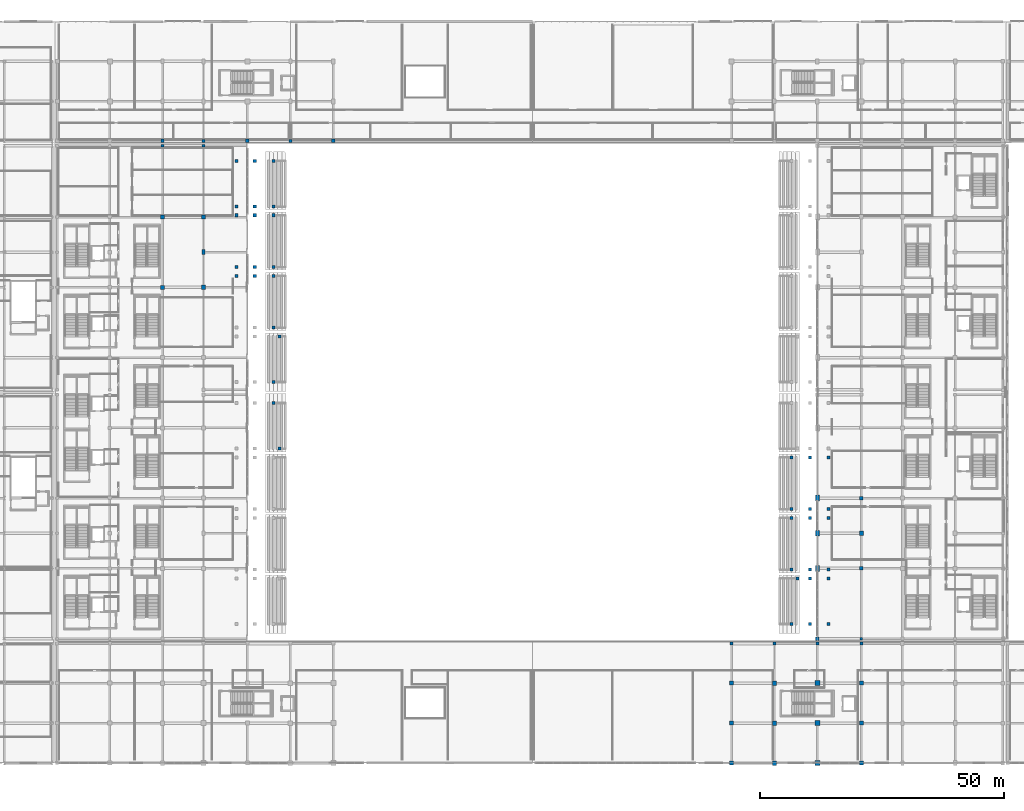
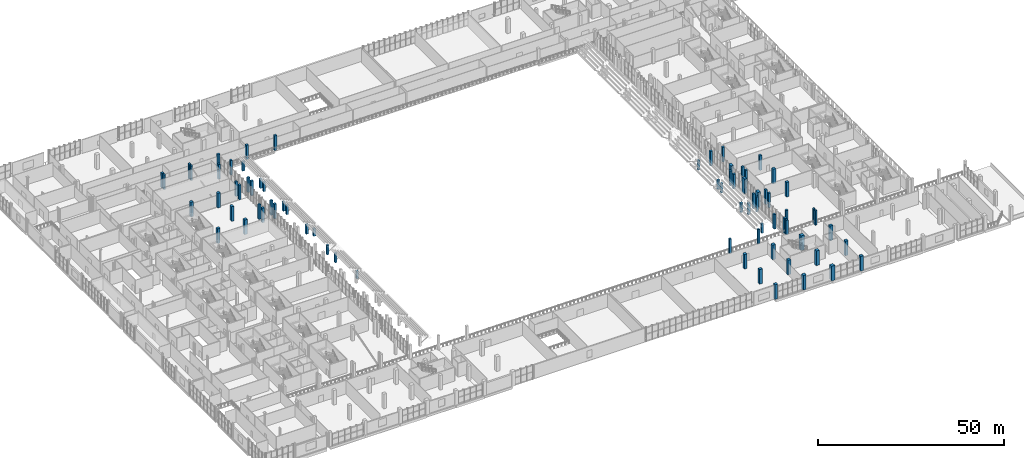
# One storey, part 8 of 142: 74 columns.
"""IFC4 building model written with IfcOpenShell, lengths in metres."""

from ifc_helpers import new_model, si_unit, direction, frame, origin, origin_2d, place, context, subcontext, project, spatial, rectangle, extrude, material, material_profile, profile_set, type_object, element, save


model = new_model("IFC4")

# Units and contexts
model_context = context("Model", 3, precision=1e-05, world=origin(), true_north=direction((0.0, 1.0)))
body_context = subcontext(model_context, "Body", "Model", "MODEL_VIEW")
ifc_project = project(units=[si_unit("LENGTHUNIT", "METRE"), si_unit("AREAUNIT", "SQUARE_METRE"), si_unit("VOLUMEUNIT", "CUBIC_METRE"), si_unit("PLANEANGLEUNIT", "RADIAN"), si_unit("MASSUNIT", "GRAM", prefix="KILO")], contexts=[model_context])

# Site, building, storey
site_placement = place(None, origin())
site = spatial("IfcSite", under=ifc_project, at=site_placement, CompositionType="ELEMENT")
building_placement = place(site_placement, origin())
building = spatial("IfcBuilding", under=site, at=building_placement, Name="Koshinbarg Plaza Stadium", CompositionType="ELEMENT")
storey_placement = place(building_placement, frame((0.0, 0.0, 10.199951171875)))
storey = spatial("IfcBuildingStorey", under=building, at=storey_placement, Name="L02", CompositionType="ELEMENT", Elevation=10.199951171875)

# Columns
ifc_material = material(Name="Concrete C40/50", Category="concrete")
ifc_material_profile_1 = material_profile(ifc_material, rectangle(XDim=0.550048828125, YDim=0.550048828125, at=origin_2d()), Name="RC 550x550")
ifc_profile_set_1 = profile_set([ifc_material_profile_1], Name="Concrete C40/50")
column_type_1 = type_object("IfcColumnType", Name="COL-RC-03", PredefinedType="COLUMN", material=ifc_profile_set_1)
for number, where, z_axis, x_axis, name in (
    (1, (189.39990234375, 25.5, 0.0), (0.0, 0.0, 1.0), (1.0, 0.0, 0.0), "L02 column 18/E"),
    (2, (54.60009765625, 126.5, 0.0), (0.0, 0.0, 1.0), (1.0, 0.0, 0.0), "L02 column 8/R"),
):
    element("IfcColumn", number, at=place(storey_placement, frame(where, z_axis=z_axis, x_axis=x_axis)), inside=storey, type_object=column_type_1, Name=name, PredefinedType="COLUMN", context=body_context, shape_type="SweptSolid", body=[
        extrude(rectangle(XDim=0.550048828125, YDim=0.550048828125, at=origin_2d()), origin(), (0.0, 0.0, 1.0), 4.800048828125),
    ])
ifc_material_profile_2 = material_profile(ifc_material, rectangle(XDim=0.60009765625, YDim=0.60009765625, at=origin_2d()), Name="RC 600x600")
ifc_profile_set_2 = profile_set([ifc_material_profile_2], Name="Concrete C40/50")
column_type_2 = type_object("IfcColumnType", Name="COL-RC-04", PredefinedType="COLUMN", material=ifc_profile_set_2)
for number, where, z_axis, x_axis, name in (
    (3, (171.60009765625, 24.5, 0.0), (0.0, 0.0, 1.0), (1.0, 0.0, 0.0), "L02 column 16/D"),
    (4, (189.39990234375, 24.5, 0.0), (0.0, 0.0, 1.0), (1.0, 0.0, 0.0), "L02 column 18/D"),
    (5, (46.199951171875, 126.5, 0.0), (0.0, 0.0, 1.0), (1.0, 0.0, 0.0), "L02 column 7/R"),
):
    element("IfcColumn", number, at=place(storey_placement, frame(where, z_axis=z_axis, x_axis=x_axis)), inside=storey, type_object=column_type_2, Name=name, PredefinedType="COLUMN", context=body_context, shape_type="SweptSolid", body=[
        extrude(rectangle(XDim=0.60009765625, YDim=0.60009765625, at=origin_2d()), origin(), (0.0, 0.0, 1.0), 4.800048828125),
    ])
ifc_material_profile_3 = material_profile(ifc_material, rectangle(XDim=0.64990234375, YDim=0.64990234375, at=origin_2d()), Name="RC 650x650")
ifc_profile_set_3 = profile_set([ifc_material_profile_3], Name="Concrete C40/50")
column_type_3 = type_object("IfcColumnType", Name="COL-RC-05", PredefinedType="COLUMN", material=ifc_profile_set_3)
for number, where, z_axis, x_axis, name in (
    (6, (72.39990234375, 127.5, 0.0), (0.0, 0.0, 1.0), (1.0, 0.0, 0.0), "L02 column 10/S"),
    (7, (162.800048828125, 24.5, 0.0), (0.0, 0.0, 1.0), (1.0, 0.0, 0.0), "L02 column 15/D"),
    (8, (180.39990234375, 24.5, 0.0), (0.0, 0.0, 1.0), (1.0, 0.0, 0.0), "L02 column 17/D"),
    (9, (54.60009765625, 127.5, 0.0), (0.0, 0.0, 1.0), (1.0, 0.0, 0.0), "L02 column 8/S"),
):
    element("IfcColumn", number, at=place(storey_placement, frame(where, z_axis=z_axis, x_axis=x_axis)), inside=storey, type_object=column_type_3, Name=name, PredefinedType="COLUMN", context=body_context, shape_type="SweptSolid", body=[
        extrude(rectangle(XDim=0.64990234375, YDim=0.64990234375, at=origin_2d()), origin(), (0.0, 0.0, 1.0), 4.800048828125),
    ])
column_1_placement = place(storey_placement, frame((70.169921875, 64.449951171875, 0.0), z_axis=(0.0, 0.0, 1.0), x_axis=(1.0, 0.0, 0.0)))
element("IfcColumn", 10, at=column_1_placement, inside=storey, type_object=column_type_3, Name="L02 bowl raker column UT-W04-L-CF", PredefinedType="COLUMN", context=body_context, shape_type="SweptSolid", body=[
    extrude(rectangle(XDim=0.64990234375, YDim=0.64990234375, at=origin_2d()), origin(), (0.0, 0.0, 1.0), 2.438720703125),
])
for number, where, z_axis, x_axis, name in (
    (11, (68.919921875, 73.800048828125, 0.0), (0.0, 0.0, 1.0), (1.0, 0.0, 0.0), "L02 bowl raker column UT-W04-R-CF"),
    (12, (68.919921875, 78.10009765625, 0.0), (0.0, 0.0, 1.0), (1.0, 0.0, 0.0), "L02 bowl raker column UT-W05-L-CF"),
):
    element("IfcColumn", number, at=place(storey_placement, frame(where, z_axis=z_axis, x_axis=x_axis)), inside=storey, type_object=column_type_3, Name=name, PredefinedType="COLUMN", context=body_context, shape_type="SweptSolid", body=[
        extrude(rectangle(XDim=0.64990234375, YDim=0.64990234375, at=origin_2d()), origin(), (0.0, 0.0, 1.0), 3.082763671875),
    ])
column_2_placement = place(storey_placement, frame((70.169921875, 87.449951171875, 0.0), z_axis=(0.0, 0.0, 1.0), x_axis=(1.0, 0.0, 0.0)))
element("IfcColumn", 13, at=column_2_placement, inside=storey, type_object=column_type_3, Name="L02 bowl raker column UT-W05-R-CF", PredefinedType="COLUMN", context=body_context, shape_type="SweptSolid", body=[
    extrude(rectangle(XDim=0.64990234375, YDim=0.64990234375, at=origin_2d()), origin(), (0.0, 0.0, 1.0), 2.438720703125),
])
for number, where, z_axis, x_axis, name in (
    (14, (68.919921875, 89.25, 0.0), (0.0, 0.0, 1.0), (1.0, 0.0, 0.0), "L02 bowl raker column UT-W06-L-CF"),
    (15, (68.919921875, 99.85009765625, 0.0), (0.0, 0.0, 1.0), (1.0, 0.0, 0.0), "L02 bowl raker column UT-W06-R-CF"),
):
    element("IfcColumn", number, at=place(storey_placement, frame(where, z_axis=z_axis, x_axis=x_axis)), inside=storey, type_object=column_type_3, Name=name, PredefinedType="COLUMN", context=body_context, shape_type="SweptSolid", body=[
        extrude(rectangle(XDim=0.64990234375, YDim=0.64990234375, at=origin_2d()), origin(), (0.0, 0.0, 1.0), 3.082763671875),
    ])
for number, where, z_axis, x_axis, name in (
    (16, (65.10009765625, 99.85009765625, 0.0), (0.0, 0.0, 1.0), (1.0, 0.0, 0.0), "L02 bowl raker column UT-W06-R-CM"),
    (17, (61.340087890625, 99.85009765625, 0.0), (0.0, 0.0, 1.0), (1.0, 0.0, 0.0), "L02 bowl raker column UT-W06-R-CB"),
):
    element("IfcColumn", number, at=place(storey_placement, frame(where, z_axis=z_axis, x_axis=x_axis)), inside=storey, type_object=column_type_3, Name=name, PredefinedType="COLUMN", context=body_context, shape_type="SweptSolid", body=[
        extrude(rectangle(XDim=0.64990234375, YDim=0.64990234375, at=origin_2d()), origin(), (0.0, 0.0, 1.0), 4.800048828125),
    ])
column_3_placement = place(storey_placement, frame((68.919921875, 101.64990234375, 0.0), z_axis=(0.0, 0.0, 1.0), x_axis=(1.0, 0.0, 0.0)))
element("IfcColumn", 18, at=column_3_placement, inside=storey, type_object=column_type_3, Name="L02 bowl raker column UT-W07-L-CF", PredefinedType="COLUMN", context=body_context, shape_type="SweptSolid", body=[
    extrude(rectangle(XDim=0.64990234375, YDim=0.64990234375, at=origin_2d()), origin(), (0.0, 0.0, 1.0), 3.082763671875),
])
for number, where, z_axis, x_axis, name in (
    (19, (65.10009765625, 101.64990234375, 0.0), (0.0, 0.0, 1.0), (1.0, 0.0, 0.0), "L02 bowl raker column UT-W07-L-CM"),
    (20, (61.340087890625, 101.64990234375, 0.0), (0.0, 0.0, 1.0), (1.0, 0.0, 0.0), "L02 bowl raker column UT-W07-L-CB"),
):
    element("IfcColumn", number, at=place(storey_placement, frame(where, z_axis=z_axis, x_axis=x_axis)), inside=storey, type_object=column_type_3, Name=name, PredefinedType="COLUMN", context=body_context, shape_type="SweptSolid", body=[
        extrude(rectangle(XDim=0.64990234375, YDim=0.64990234375, at=origin_2d()), origin(), (0.0, 0.0, 1.0), 4.800048828125),
    ])
column_4_placement = place(storey_placement, frame((68.919921875, 112.25, 0.0), z_axis=(0.0, 0.0, 1.0), x_axis=(1.0, 0.0, 0.0)))
element("IfcColumn", 21, at=column_4_placement, inside=storey, type_object=column_type_3, Name="L02 bowl raker column UT-W07-R-CF", PredefinedType="COLUMN", context=body_context, shape_type="SweptSolid", body=[
    extrude(rectangle(XDim=0.64990234375, YDim=0.64990234375, at=origin_2d()), origin(), (0.0, 0.0, 1.0), 3.082763671875),
])
for number, where, z_axis, x_axis, name in (
    (22, (65.10009765625, 112.25, 0.0), (0.0, 0.0, 1.0), (1.0, 0.0, 0.0), "L02 bowl raker column UT-W07-R-CM"),
    (23, (61.340087890625, 112.25, 0.0), (0.0, 0.0, 1.0), (1.0, 0.0, 0.0), "L02 bowl raker column UT-W07-R-CB"),
):
    element("IfcColumn", number, at=place(storey_placement, frame(where, z_axis=z_axis, x_axis=x_axis)), inside=storey, type_object=column_type_3, Name=name, PredefinedType="COLUMN", context=body_context, shape_type="SweptSolid", body=[
        extrude(rectangle(XDim=0.64990234375, YDim=0.64990234375, at=origin_2d()), origin(), (0.0, 0.0, 1.0), 4.800048828125),
    ])
column_5_placement = place(storey_placement, frame((68.919921875, 114.050048828125, 0.0), z_axis=(0.0, 0.0, 1.0), x_axis=(1.0, 0.0, 0.0)))
element("IfcColumn", 24, at=column_5_placement, inside=storey, type_object=column_type_3, Name="L02 bowl raker column UT-W08-L-CF", PredefinedType="COLUMN", context=body_context, shape_type="SweptSolid", body=[
    extrude(rectangle(XDim=0.64990234375, YDim=0.64990234375, at=origin_2d()), origin(), (0.0, 0.0, 1.0), 3.082763671875),
])
for number, where, z_axis, x_axis, name in (
    (25, (65.10009765625, 114.050048828125, 0.0), (0.0, 0.0, 1.0), (1.0, 0.0, 0.0), "L02 bowl raker column UT-W08-L-CM"),
    (26, (61.340087890625, 114.050048828125, 0.0), (0.0, 0.0, 1.0), (1.0, 0.0, 0.0), "L02 bowl raker column UT-W08-L-CB"),
):
    element("IfcColumn", number, at=place(storey_placement, frame(where, z_axis=z_axis, x_axis=x_axis)), inside=storey, type_object=column_type_3, Name=name, PredefinedType="COLUMN", context=body_context, shape_type="SweptSolid", body=[
        extrude(rectangle(XDim=0.64990234375, YDim=0.64990234375, at=origin_2d()), origin(), (0.0, 0.0, 1.0), 4.800048828125),
    ])
column_6_placement = place(storey_placement, frame((68.919921875, 123.39990234375, 0.0), z_axis=(0.0, 0.0, 1.0), x_axis=(1.0, 0.0, 0.0)))
element("IfcColumn", 27, at=column_6_placement, inside=storey, type_object=column_type_3, Name="L02 bowl raker column UT-W08-R-CF", PredefinedType="COLUMN", context=body_context, shape_type="SweptSolid", body=[
    extrude(rectangle(XDim=0.64990234375, YDim=0.64990234375, at=origin_2d()), origin(), (0.0, 0.0, 1.0), 3.082763671875),
])
for number, where, z_axis, x_axis, name in (
    (28, (65.10009765625, 123.39990234375, 0.0), (0.0, 0.0, 1.0), (1.0, 0.0, 0.0), "L02 bowl raker column UT-W08-R-CM"),
    (29, (61.340087890625, 123.39990234375, 0.0), (0.0, 0.0, 1.0), (1.0, 0.0, 0.0), "L02 bowl raker column UT-W08-R-CB"),
):
    element("IfcColumn", number, at=place(storey_placement, frame(where, z_axis=z_axis, x_axis=x_axis)), inside=storey, type_object=column_type_3, Name=name, PredefinedType="COLUMN", context=body_context, shape_type="SweptSolid", body=[
        extrude(rectangle(XDim=0.64990234375, YDim=0.64990234375, at=origin_2d()), origin(), (0.0, 0.0, 1.0), 4.800048828125),
    ])
column_7_placement = place(storey_placement, frame((175.080078125, 28.5, 0.0), z_axis=(0.0, 0.0, 1.0), x_axis=(1.0, 0.0, 0.0)))
element("IfcColumn", 30, at=column_7_placement, inside=storey, type_object=column_type_3, Name="L02 bowl raker column UT-E01-L-CF", PredefinedType="COLUMN", context=body_context, shape_type="SweptSolid", body=[
    extrude(rectangle(XDim=0.64990234375, YDim=0.64990234375, at=origin_2d()), origin(), (0.0, 0.0, 1.0), 3.082763671875),
])
for number, where, z_axis, x_axis, name in (
    (31, (178.89990234375, 28.5, 0.0), (0.0, 0.0, 1.0), (1.0, 0.0, 0.0), "L02 bowl raker column UT-E01-L-CM"),
    (32, (182.659912109375, 28.5, 0.0), (0.0, 0.0, 1.0), (1.0, 0.0, 0.0), "L02 bowl raker column UT-E01-L-CB"),
):
    element("IfcColumn", number, at=place(storey_placement, frame(where, z_axis=z_axis, x_axis=x_axis)), inside=storey, type_object=column_type_3, Name=name, PredefinedType="COLUMN", context=body_context, shape_type="SweptSolid", body=[
        extrude(rectangle(XDim=0.64990234375, YDim=0.64990234375, at=origin_2d()), origin(), (0.0, 0.0, 1.0), 4.800048828125),
    ])
column_8_placement = place(storey_placement, frame((176.330078125, 37.85009765625, 0.0), z_axis=(0.0, 0.0, 1.0), x_axis=(1.0, 0.0, 0.0)))
element("IfcColumn", 33, at=column_8_placement, inside=storey, type_object=column_type_3, Name="L02 bowl raker column UT-E01-R-CF", PredefinedType="COLUMN", context=body_context, shape_type="SweptSolid", body=[
    extrude(rectangle(XDim=0.64990234375, YDim=0.64990234375, at=origin_2d()), origin(), (0.0, 0.0, 1.0), 3.7265625),
])
for number, where, z_axis, x_axis, name in (
    (34, (178.89990234375, 37.85009765625, 0.0), (0.0, 0.0, 1.0), (1.0, 0.0, 0.0), "L02 bowl raker column UT-E01-R-CM"),
    (35, (182.659912109375, 37.85009765625, 0.0), (0.0, 0.0, 1.0), (1.0, 0.0, 0.0), "L02 bowl raker column UT-E01-R-CB"),
):
    element("IfcColumn", number, at=place(storey_placement, frame(where, z_axis=z_axis, x_axis=x_axis)), inside=storey, type_object=column_type_3, Name=name, PredefinedType="COLUMN", context=body_context, shape_type="SweptSolid", body=[
        extrude(rectangle(XDim=0.64990234375, YDim=0.64990234375, at=origin_2d()), origin(), (0.0, 0.0, 1.0), 4.800048828125),
    ])
column_9_placement = place(storey_placement, frame((175.080078125, 39.64990234375, 0.0), z_axis=(0.0, 0.0, 1.0), x_axis=(1.0, 0.0, 0.0)))
element("IfcColumn", 36, at=column_9_placement, inside=storey, type_object=column_type_3, Name="L02 bowl raker column UT-E02-L-CF", PredefinedType="COLUMN", context=body_context, shape_type="SweptSolid", body=[
    extrude(rectangle(XDim=0.64990234375, YDim=0.64990234375, at=origin_2d()), origin(), (0.0, 0.0, 1.0), 3.082763671875),
])
for number, where, z_axis, x_axis, name in (
    (37, (178.89990234375, 39.64990234375, 0.0), (0.0, 0.0, 1.0), (1.0, 0.0, 0.0), "L02 bowl raker column UT-E02-L-CM"),
    (38, (182.659912109375, 39.64990234375, 0.0), (0.0, 0.0, 1.0), (1.0, 0.0, 0.0), "L02 bowl raker column UT-E02-L-CB"),
):
    element("IfcColumn", number, at=place(storey_placement, frame(where, z_axis=z_axis, x_axis=x_axis)), inside=storey, type_object=column_type_3, Name=name, PredefinedType="COLUMN", context=body_context, shape_type="SweptSolid", body=[
        extrude(rectangle(XDim=0.64990234375, YDim=0.64990234375, at=origin_2d()), origin(), (0.0, 0.0, 1.0), 4.800048828125),
    ])
column_10_placement = place(storey_placement, frame((175.080078125, 50.25, 0.0), z_axis=(0.0, 0.0, 1.0), x_axis=(1.0, 0.0, 0.0)))
element("IfcColumn", 39, at=column_10_placement, inside=storey, type_object=column_type_3, Name="L02 bowl raker column UT-E02-R-CF", PredefinedType="COLUMN", context=body_context, shape_type="SweptSolid", body=[
    extrude(rectangle(XDim=0.64990234375, YDim=0.64990234375, at=origin_2d()), origin(), (0.0, 0.0, 1.0), 3.082763671875),
])
for number, where, z_axis, x_axis, name in (
    (40, (178.89990234375, 50.25, 0.0), (0.0, 0.0, 1.0), (1.0, 0.0, 0.0), "L02 bowl raker column UT-E02-R-CM"),
    (41, (182.659912109375, 50.25, 0.0), (0.0, 0.0, 1.0), (1.0, 0.0, 0.0), "L02 bowl raker column UT-E02-R-CB"),
):
    element("IfcColumn", number, at=place(storey_placement, frame(where, z_axis=z_axis, x_axis=x_axis)), inside=storey, type_object=column_type_3, Name=name, PredefinedType="COLUMN", context=body_context, shape_type="SweptSolid", body=[
        extrude(rectangle(XDim=0.64990234375, YDim=0.64990234375, at=origin_2d()), origin(), (0.0, 0.0, 1.0), 4.800048828125),
    ])
column_11_placement = place(storey_placement, frame((175.080078125, 52.050048828125, 0.0), z_axis=(0.0, 0.0, 1.0), x_axis=(1.0, 0.0, 0.0)))
element("IfcColumn", 42, at=column_11_placement, inside=storey, type_object=column_type_3, Name="L02 bowl raker column UT-E03-L-CF", PredefinedType="COLUMN", context=body_context, shape_type="SweptSolid", body=[
    extrude(rectangle(XDim=0.64990234375, YDim=0.64990234375, at=origin_2d()), origin(), (0.0, 0.0, 1.0), 3.082763671875),
])
for number, where, z_axis, x_axis, name in (
    (43, (178.89990234375, 52.050048828125, 0.0), (0.0, 0.0, 1.0), (1.0, 0.0, 0.0), "L02 bowl raker column UT-E03-L-CM"),
    (44, (182.659912109375, 52.050048828125, 0.0), (0.0, 0.0, 1.0), (1.0, 0.0, 0.0), "L02 bowl raker column UT-E03-L-CB"),
):
    element("IfcColumn", number, at=place(storey_placement, frame(where, z_axis=z_axis, x_axis=x_axis)), inside=storey, type_object=column_type_3, Name=name, PredefinedType="COLUMN", context=body_context, shape_type="SweptSolid", body=[
        extrude(rectangle(XDim=0.64990234375, YDim=0.64990234375, at=origin_2d()), origin(), (0.0, 0.0, 1.0), 4.800048828125),
    ])
column_12_placement = place(storey_placement, frame((175.080078125, 62.64990234375, 0.0), z_axis=(0.0, 0.0, 1.0), x_axis=(1.0, 0.0, 0.0)))
element("IfcColumn", 45, at=column_12_placement, inside=storey, type_object=column_type_3, Name="L02 bowl raker column UT-E03-R-CF", PredefinedType="COLUMN", context=body_context, shape_type="SweptSolid", body=[
    extrude(rectangle(XDim=0.64990234375, YDim=0.64990234375, at=origin_2d()), origin(), (0.0, 0.0, 1.0), 3.082763671875),
])
for number, where, z_axis, x_axis, name in (
    (46, (178.89990234375, 62.64990234375, 0.0), (0.0, 0.0, 1.0), (1.0, 0.0, 0.0), "L02 bowl raker column UT-E03-R-CM"),
    (47, (182.659912109375, 62.64990234375, 0.0), (0.0, 0.0, 1.0), (1.0, 0.0, 0.0), "L02 bowl raker column UT-E03-R-CB"),
):
    element("IfcColumn", number, at=place(storey_placement, frame(where, z_axis=z_axis, x_axis=x_axis)), inside=storey, type_object=column_type_3, Name=name, PredefinedType="COLUMN", context=body_context, shape_type="SweptSolid", body=[
        extrude(rectangle(XDim=0.64990234375, YDim=0.64990234375, at=origin_2d()), origin(), (0.0, 0.0, 1.0), 4.800048828125),
    ])
ifc_material_profile_4 = material_profile(ifc_material, rectangle(XDim=0.699951171875, YDim=0.699951171875, at=origin_2d()), Name="RC 700x700")
ifc_profile_set_4 = profile_set([ifc_material_profile_4], Name="Concrete C40/50")
column_type_4 = type_object("IfcColumnType", Name="COL-RC-06", PredefinedType="COLUMN", material=ifc_profile_set_4)
for number, where, z_axis, x_axis, name in (
    (48, (81.199951171875, 127.5, 0.0), (0.0, 0.0, 1.0), (1.0, 0.0, 0.0), "L02 column 11/S"),
    (49, (180.39990234375, 25.5, 0.0), (0.0, 0.0, 1.0), (1.0, 0.0, 0.0), "L02 column 17/E"),
    (50, (46.199951171875, 127.5, 0.0), (0.0, 0.0, 1.0), (1.0, 0.0, 0.0), "L02 column 7/S"),
    (51, (63.60009765625, 127.5, 0.0), (0.0, 0.0, 1.0), (1.0, 0.0, 0.0), "L02 column 9/S"),
):
    element("IfcColumn", number, at=place(storey_placement, frame(where, z_axis=z_axis, x_axis=x_axis)), inside=storey, type_object=column_type_4, Name=name, PredefinedType="COLUMN", context=body_context, shape_type="SweptSolid", body=[
        extrude(rectangle(XDim=0.699951171875, YDim=0.699951171875, at=origin_2d()), origin(), (0.0, 0.0, 1.0), 4.800048828125),
    ])
ifc_material_profile_5 = material_profile(ifc_material, rectangle(XDim=0.75, YDim=0.75, at=origin_2d()), Name="RC 750x750")
ifc_profile_set_5 = profile_set([ifc_material_profile_5], Name="Concrete C40/50")
column_type_5 = type_object("IfcColumnType", Name="COL-RC-07", PredefinedType="COLUMN", material=ifc_profile_set_5)
for number, where, z_axis, x_axis, name in (
    (52, (189.39990234375, 39.89990234375, 0.0), (0.0, 0.0, 1.0), (1.0, 0.0, 0.0), "L02 column 18/F"),
    (53, (189.39990234375, 54.300048828125, 0.0), (0.0, 0.0, 1.0), (1.0, 0.0, 0.0), "L02 column 18/H"),
):
    element("IfcColumn", number, at=place(storey_placement, frame(where, z_axis=z_axis, x_axis=x_axis)), inside=storey, type_object=column_type_5, Name=name, PredefinedType="COLUMN", context=body_context, shape_type="SweptSolid", body=[
        extrude(rectangle(XDim=0.75, YDim=0.75, at=origin_2d()), origin(), (0.0, 0.0, 1.0), 4.800048828125),
    ])
ifc_material_profile_6 = material_profile(ifc_material, rectangle(XDim=0.800048828125, YDim=0.800048828125, at=origin_2d()), Name="RC 800x800")
ifc_profile_set_6 = profile_set([ifc_material_profile_6], Name="Concrete C40/50")
column_type_6 = type_object("IfcColumnType", Name="COL-RC-08", PredefinedType="COLUMN", material=ifc_profile_set_6)
for number, where, z_axis, x_axis, name in (
    (54, (46.199951171875, 97.5, 0.0), (0.0, 0.0, 1.0), (1.0, 0.0, 0.0), "L02 column 7/N"),
    (55, (46.199951171875, 111.89990234375, 0.0), (0.0, 0.0, 1.0), (1.0, 0.0, 0.0), "L02 column 7/Q"),
):
    element("IfcColumn", number, at=place(storey_placement, frame(where, z_axis=z_axis, x_axis=x_axis)), inside=storey, type_object=column_type_6, Name=name, PredefinedType="COLUMN", context=body_context, shape_type="SweptSolid", body=[
        extrude(rectangle(XDim=0.800048828125, YDim=0.800048828125, at=origin_2d()), origin(), (0.0, 0.0, 1.0), 4.800048828125),
    ])
ifc_material_profile_7 = material_profile(ifc_material, rectangle(XDim=0.85009765625, YDim=0.85009765625, at=origin_2d()), Name="RC 850x850")
ifc_profile_set_7 = profile_set([ifc_material_profile_7], Name="Concrete C40/50")
column_type_7 = type_object("IfcColumnType", Name="COL-RC-09", PredefinedType="COLUMN", material=ifc_profile_set_7)
for number, where, z_axis, x_axis, name in (
    (56, (162.800048828125, 0.0, 0.0), (0.0, 0.0, 1.0), (1.0, 0.0, 0.0), "L02 column 15/A"),
    (57, (162.800048828125, 8.199951171875, 0.0), (0.0, 0.0, 1.0), (1.0, 0.0, 0.0), "L02 column 15/B"),
    (58, (162.800048828125, 16.39990234375, 0.0), (0.0, 0.0, 1.0), (1.0, 0.0, 0.0), "L02 column 15/C"),
    (59, (189.39990234375, 0.0, 0.0), (0.0, 0.0, 1.0), (1.0, 0.0, 0.0), "L02 column 18/A"),
    (60, (189.39990234375, 8.199951171875, 0.0), (0.0, 0.0, 1.0), (1.0, 0.0, 0.0), "L02 column 18/B"),
    (61, (189.39990234375, 16.39990234375, 0.0), (0.0, 0.0, 1.0), (1.0, 0.0, 0.0), "L02 column 18/C"),
    (62, (189.39990234375, 47.10009765625, 0.0), (0.0, 0.0, 1.0), (1.0, 0.0, 0.0), "L02 column 18/G"),
    (63, (54.60009765625, 97.5, 0.0), (0.0, 0.0, 1.0), (1.0, 0.0, 0.0), "L02 column 8/N"),
    (64, (54.60009765625, 111.89990234375, 0.0), (0.0, 0.0, 1.0), (1.0, 0.0, 0.0), "L02 column 8/Q"),
):
    element("IfcColumn", number, at=place(storey_placement, frame(where, z_axis=z_axis, x_axis=x_axis)), inside=storey, type_object=column_type_7, Name=name, PredefinedType="COLUMN", context=body_context, shape_type="SweptSolid", body=[
        extrude(rectangle(XDim=0.85009765625, YDim=0.85009765625, at=origin_2d()), origin(), (0.0, 0.0, 1.0), 4.800048828125),
    ])
ifc_material_profile_8 = material_profile(ifc_material, rectangle(XDim=0.89990234375, YDim=0.89990234375, at=origin_2d()), Name="RC 900x900")
ifc_profile_set_8 = profile_set([ifc_material_profile_8], Name="Concrete C40/50")
column_type_8 = type_object("IfcColumnType", Name="COL-RC-10", PredefinedType="COLUMN", material=ifc_profile_set_8)
for number, where, z_axis, x_axis, name in (
    (65, (171.60009765625, 0.0, 0.0), (0.0, 0.0, 1.0), (1.0, 0.0, 0.0), "L02 column 16/A"),
    (66, (171.60009765625, 8.199951171875, 0.0), (0.0, 0.0, 1.0), (1.0, 0.0, 0.0), "L02 column 16/B"),
    (67, (171.60009765625, 16.39990234375, 0.0), (0.0, 0.0, 1.0), (1.0, 0.0, 0.0), "L02 column 16/C"),
):
    element("IfcColumn", number, at=place(storey_placement, frame(where, z_axis=z_axis, x_axis=x_axis)), inside=storey, type_object=column_type_8, Name=name, PredefinedType="COLUMN", context=body_context, shape_type="SweptSolid", body=[
        extrude(rectangle(XDim=0.89990234375, YDim=0.89990234375, at=origin_2d()), origin(), (0.0, 0.0, 1.0), 4.800048828125),
    ])
ifc_material_profile_9 = material_profile(ifc_material, rectangle(XDim=1.0, YDim=1.0, at=origin_2d()), Name="RC 1000x1000")
ifc_profile_set_9 = profile_set([ifc_material_profile_9], Name="Concrete C40/50")
column_type_9 = type_object("IfcColumnType", Name="COL-RC-11", PredefinedType="COLUMN", material=ifc_profile_set_9)
for number, where, z_axis, x_axis, name in (
    (68, (180.39990234375, 0.0, 0.0), (0.0, 0.0, 1.0), (1.0, 0.0, 0.0), "L02 column 17/A"),
    (69, (180.39990234375, 8.199951171875, 0.0), (0.0, 0.0, 1.0), (1.0, 0.0, 0.0), "L02 column 17/B"),
    (70, (180.39990234375, 16.39990234375, 0.0), (0.0, 0.0, 1.0), (1.0, 0.0, 0.0), "L02 column 17/C"),
):
    element("IfcColumn", number, at=place(storey_placement, frame(where, z_axis=z_axis, x_axis=x_axis)), inside=storey, type_object=column_type_9, Name=name, PredefinedType="COLUMN", context=body_context, shape_type="SweptSolid", body=[
        extrude(rectangle(XDim=1.0, YDim=1.0, at=origin_2d()), origin(), (0.0, 0.0, 1.0), 4.800048828125),
    ])
ifc_material_profile_10 = material_profile(ifc_material, rectangle(XDim=0.699951171875, YDim=1.0, at=origin_2d()), Name="RC 700x1000")
ifc_profile_set_10 = profile_set([ifc_material_profile_10], Name="Concrete C40/50")
column_type_10 = type_object("IfcColumnType", Name="COL-RC-13", PredefinedType="COLUMN", material=ifc_profile_set_10)
column_13_placement = place(storey_placement, frame((54.60009765625, 104.699951171875, 0.0), z_axis=(0.0, 0.0, 1.0), x_axis=(1.0, 0.0, 0.0)))
element("IfcColumn", 71, at=column_13_placement, inside=storey, type_object=column_type_10, Name="L02 column 8/P", PredefinedType="COLUMN", context=body_context, shape_type="SweptSolid", body=[
    extrude(rectangle(XDim=0.699951171875, YDim=1.0, at=origin_2d()), origin(), (0.0, 0.0, 1.0), 4.800048828125),
])
ifc_material_profile_11 = material_profile(ifc_material, rectangle(XDim=0.800048828125, YDim=1.199951171875, at=origin_2d()), Name="RC 800x1200")
ifc_profile_set_11 = profile_set([ifc_material_profile_11], Name="Concrete C40/50")
column_type_11 = type_object("IfcColumnType", Name="COL-RC-14", PredefinedType="COLUMN", material=ifc_profile_set_11)
for number, where, z_axis, x_axis, name in (
    (72, (180.39990234375, 39.89990234375, 0.0), (0.0, 0.0, 1.0), (1.0, 0.0, 0.0), "L02 column 17/F"),
    (73, (180.39990234375, 47.10009765625, 0.0), (0.0, 0.0, 1.0), (1.0, 0.0, 0.0), "L02 column 17/G"),
    (74, (180.39990234375, 54.300048828125, 0.0), (0.0, 0.0, 1.0), (1.0, 0.0, 0.0), "L02 column 17/H"),
):
    element("IfcColumn", number, at=place(storey_placement, frame(where, z_axis=z_axis, x_axis=x_axis)), inside=storey, type_object=column_type_11, Name=name, PredefinedType="COLUMN", context=body_context, shape_type="SweptSolid", body=[
        extrude(rectangle(XDim=0.800048828125, YDim=1.199951171875, at=origin_2d()), origin(), (0.0, 0.0, 1.0), 4.800048828125),
    ])

save(model, "model.ifc")
